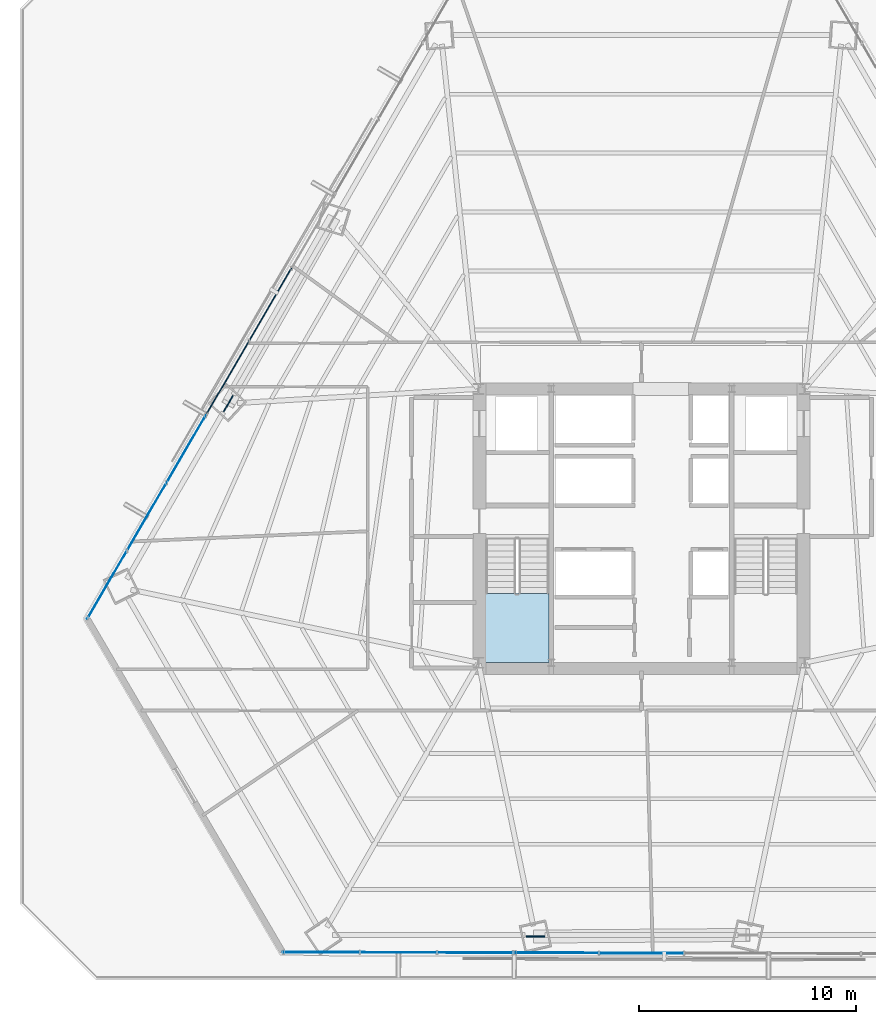
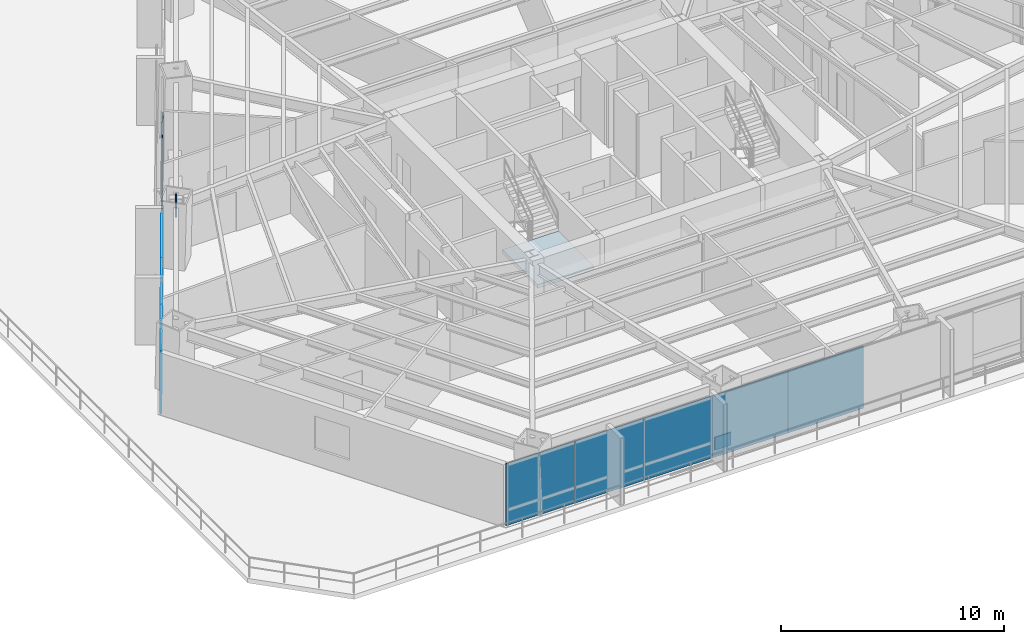
# One storey, part 26 of 35: 12 plates, 1 slab, 5 elements without a shape of their own.
"""IFC4 building model written with IfcOpenShell, lengths in metres."""

from ifc_helpers import new_model, si_unit, direction, frame, origin, origin_2d, place, context, subcontext, project, spatial, polyline, rectangle, outline, extrude, source, transform, mapped, material, layer, layer_set, type_object, type_shapes, element, aggregate, save


model = new_model("IFC4")

# Units and contexts
model_context = context("Model", 3, precision=1e-05, world=origin(), true_north=direction((0.0, 1.0)))
body_context = subcontext(model_context, "Body", "Model", "MODEL_VIEW")
ifc_project = project(units=[si_unit("LENGTHUNIT", "METRE"), si_unit("AREAUNIT", "SQUARE_METRE"), si_unit("VOLUMEUNIT", "CUBIC_METRE"), si_unit("PLANEANGLEUNIT", "RADIAN"), si_unit("MASSUNIT", "GRAM", prefix="KILO")], contexts=[model_context])

# Site, building, storey
site_placement = place(None, origin())
site = spatial("IfcSite", under=ifc_project, at=site_placement, CompositionType="ELEMENT")
building_placement = place(site_placement, origin())
building = spatial("IfcBuilding", under=site, at=building_placement, Name="Caelisora Broadcast Tower", CompositionType="ELEMENT")
storey_placement = place(building_placement, frame((0.0, 0.0, 27.60009765625)))
storey = spatial("IfcBuildingStorey", under=building, at=storey_placement, Name="L06", CompositionType="ELEMENT", Elevation=27.60009765625)

# Stair, slab
ifc_material_1 = material(Name="Concrete 40 MPa (AS 3600 N40)", Category="concrete")
stair_type = type_object("IfcStairType", Name="ST-1", PredefinedType="HALF_TURN_STAIR", material=ifc_material_1)
stair_placement = place(storey_placement, origin())
stair = element("IfcStair", 1, at=stair_placement, inside=storey, type_object=stair_type, Name="L06 West Fire-Isolated Tower Stair", PredefinedType="HALF_TURN_STAIR")
ifc_layer_1 = layer(ifc_material_1, 0.199951171875, Name="Concrete 40 MPa (AS 3600 N40)")
ifc_layer_set_1 = layer_set([ifc_layer_1], Name="Concrete 40 MPa (AS 3600 N40)")
slab_type = type_object("IfcSlabType", Name="STL-1", PredefinedType="LANDING", material=ifc_layer_set_1)
slab_placement = place(storey_placement, frame((0.0, 0.0, 1.625)))
slab = element("IfcSlab", 2, at=slab_placement, type_object=slab_type, Name="ST-1 landing 1", PredefinedType="LANDING", context=body_context, shape_type="SweptSolid", body=[
    extrude(outline(polyline([(30.820068359375, 20.580078125), (30.820068359375, 17.39990234375), (33.739990234375, 17.39990234375), (33.739990234375, 20.580078125), (30.820068359375, 20.580078125)])), origin(), (0.0, 0.0, 1.0), 0.199951171875),
])
aggregate(stair, [slab])

# Plates
ifc_material_2 = material(Name="Steel Grade 350 L15 (AS/NZS 3678)", Category="steel")
ifc_layer_2 = layer(ifc_material_2, 0.050048828125, Name="Steel Grade 350 L15 (AS/NZS 3678)")
ifc_layer_set_2 = layer_set([ifc_layer_2], Name="Steel Grade 350 L15 (AS/NZS 3678)")
plate_type_1 = type_object("IfcPlateType", Name="GP03", PredefinedType="USERDEFINED", material=ifc_layer_set_2)
shared_shape_1 = source(origin(), body_context, "Body", "SweptSolid", [
    extrude(rectangle(XDim=0.85009765625, YDim=0.050048828125, at=origin_2d()), origin(), (0.0, 0.0, 1.0), 0.699951171875),
])
type_shapes(plate_type_1, [shared_shape_1])
for number, where, z_axis, x_axis, name in (
    (3, (18.988037109375, 29.32568359375, 2.72998046875), (0.0, 0.0, 1.0), (-0.5, -0.866025403784, 0.0), "L06 gusset plate GP03 (ND-L06-C03T)"),
    (4, (33.12255859375, 4.800048828125, -0.22998046875), (0.0, 0.0, 1.0), (1.0, 0.0, 0.0), "L06 gusset plate GP03 (ND-L06-C06B)"),
):
    element("IfcPlate", number, at=place(storey_placement, frame(where, z_axis=z_axis, x_axis=x_axis)), inside=storey, type_object=plate_type_1, Name=name, ObjectType="GUSSET PLATE", PredefinedType="USERDEFINED", context=body_context, shape_type="MappedRepresentation", body=[
        mapped(shared_shape_1, transform((0.0, 0.0, 0.0), scale=1.0)),
    ])

# Curtain wall, plates
ifc_material_3 = material(Name="Unitised Aluminium Insulated Shadow-Box Spandrel Curtain Wall", Category="aluminium")
curtain_wall_type_1 = type_object("IfcCurtainWallType", Name="CW-SP1", PredefinedType="NOTDEFINED", material=ifc_material_3)
curtain_wall_1_placement = place(storey_placement, origin())
curtain_wall_1 = element("IfcCurtainWall", 5, at=curtain_wall_1_placement, inside=storey, type_object=curtain_wall_type_1, Name="L06 curtain wall CW-SP1", PredefinedType="NOTDEFINED")
ifc_material_4 = material(Name="Insulated Terracotta Shadow-Box Spandrel Panel", Category="aluminium")
ifc_layer_3 = layer(ifc_material_4, 0.0439453125, Name="Insulated Terracotta Shadow-Box Spandrel Panel")
ifc_layer_set_3 = layer_set([ifc_layer_3], Name="Insulated Terracotta Shadow-Box Spandrel Panel")
plate_type_2 = type_object("IfcPlateType", Name="CWP-10", PredefinedType="CURTAIN_PANEL", material=ifc_layer_set_3)
shared_shape_2 = source(origin(), body_context, "Body", "SweptSolid", [
    extrude(rectangle(XDim=3.898193359375, YDim=0.0439453125, at=origin_2d()), origin(), (0.0, 0.0, 1.0), 3.39990234375),
])
type_shapes(plate_type_2, [shared_shape_2])
plate_1_placement = place(storey_placement, frame((37.997802734375, 4.036376953125, 0.0), z_axis=(0.0, 0.0, 1.0), x_axis=(-0.999996573056, 0.002617990887, 0.0)))
plate_1 = element("IfcPlate", 6, at=plate_1_placement, type_object=plate_type_2, Name="L06-CW-B06 spandrel panel #2", PredefinedType="CURTAIN_PANEL", context=body_context, shape_type="MappedRepresentation", body=[
    mapped(shared_shape_2, transform((0.0, 0.0, 0.0), scale=1.0)),
])
plate_2_placement = place(storey_placement, frame((34.099609375, 4.046875, 0.0), z_axis=(0.0, 0.0, 1.0), x_axis=(-0.999996573056, 0.002617990887, 0.0)))
plate_2 = element("IfcPlate", 7, at=plate_2_placement, type_object=plate_type_2, Name="L06-CW-B06 spandrel panel #3", PredefinedType="CURTAIN_PANEL", context=body_context, shape_type="MappedRepresentation", body=[
    mapped(shared_shape_2, transform((0.0, 0.0, 0.0), scale=1.0)),
])
aggregate(curtain_wall_1, [plate_1, plate_2])

curtain_wall_2_placement = place(storey_placement, origin())
curtain_wall_2 = element("IfcCurtainWall", 8, at=curtain_wall_2_placement, inside=storey, type_object=curtain_wall_type_1, Name="L06 curtain wall CW-SP1", PredefinedType="NOTDEFINED")
plate_3_placement = place(storey_placement, frame((18.947998046875, 30.500732421875, 0.0), z_axis=(0.0, 0.0, 1.0), x_axis=(0.503321604797, 0.864099162217, 0.0)))
plate_3 = element("IfcPlate", 9, at=plate_3_placement, type_object=plate_type_2, Name="L06-CW-B10 spandrel panel #1", PredefinedType="CURTAIN_PANEL", context=body_context, shape_type="MappedRepresentation", body=[
    mapped(shared_shape_2, transform((0.0, 0.0, 0.0), scale=1.0)),
])
plate_4_placement = place(storey_placement, frame((20.909912109375, 33.869384765625, 0.0), z_axis=(0.0, 0.0, 1.0), x_axis=(0.503321604797, 0.864099162217, 0.0)))
plate_4 = element("IfcPlate", 10, at=plate_4_placement, type_object=plate_type_2, Name="L06-CW-B10 spandrel panel #2", PredefinedType="CURTAIN_PANEL", context=body_context, shape_type="MappedRepresentation", body=[
    mapped(shared_shape_2, transform((0.0, 0.0, 0.0), scale=1.0)),
])
aggregate(curtain_wall_2, [plate_3, plate_4])

ifc_material_5 = material(Name="Unitised Aluminium and Low-E Glass Curtain Wall", Category="glass")
curtain_wall_type_2 = type_object("IfcCurtainWallType", Name="CW-Z1", PredefinedType="NOTDEFINED", material=ifc_material_5)
curtain_wall_3_placement = place(storey_placement, origin())
curtain_wall_3 = element("IfcCurtainWall", 11, at=curtain_wall_3_placement, inside=storey, type_object=curtain_wall_type_2, Name="L06 curtain wall CW-Z1", PredefinedType="NOTDEFINED")
ifc_material_6 = material(Name="Double Glazed Low-E Argon IGU", Category="glass")
ifc_layer_4 = layer(ifc_material_6, 0.035888671875, Name="Double Glazed Low-E Argon IGU")
ifc_layer_set_4 = layer_set([ifc_layer_4], Name="Double Glazed Low-E Argon IGU")
plate_type_3 = type_object("IfcPlateType", Name="CWP-02", PredefinedType="CURTAIN_PANEL", material=ifc_layer_set_4)
shared_shape_3 = source(origin(), body_context, "Body", "SweptSolid", [
    extrude(rectangle(XDim=3.55322265625, YDim=0.035888671875, at=origin_2d()), origin(), (0.0, 0.0, 1.0), 3.39990234375),
])
plate_5_placement = place(storey_placement, frame((30.364013671875, 4.056884765625, 0.0), z_axis=(0.0, 0.0, 1.0), x_axis=(-0.999996573056, 0.002617990887, 0.0)))
plate_5 = element("IfcPlate", 12, at=plate_5_placement, type_object=plate_type_3, Name="L06-CW-B07 glazed panel #1", PredefinedType="CURTAIN_PANEL", context=body_context, shape_type="MappedRepresentation", body=[
    mapped(shared_shape_3, transform((0.0, 0.0, 0.0), scale=1.0)),
])
plate_6_placement = place(storey_placement, frame((26.810791015625, 4.066650390625, 0.0), z_axis=(0.0, 0.0, 1.0), x_axis=(-0.999996573056, 0.002617990887, 0.0)))
plate_6 = element("IfcPlate", 13, at=plate_6_placement, type_object=plate_type_3, Name="L06-CW-B07 glazed panel #2", PredefinedType="CURTAIN_PANEL", context=body_context, shape_type="MappedRepresentation", body=[
    mapped(shared_shape_3, transform((0.0, 0.0, 0.0), scale=1.0)),
])
plate_7_placement = place(storey_placement, frame((23.257568359375, 4.076171875, 0.0), z_axis=(0.0, 0.0, 1.0), x_axis=(-0.999996573056, 0.002617990887, 0.0)))
plate_7 = element("IfcPlate", 14, at=plate_7_placement, type_object=plate_type_3, Name="L06-CW-B07 glazed panel #3", PredefinedType="CURTAIN_PANEL", context=body_context, shape_type="MappedRepresentation", body=[
    mapped(shared_shape_3, transform((0.0, 0.0, 0.0), scale=1.0)),
])
aggregate(curtain_wall_3, [plate_5, plate_6, plate_7])

curtain_wall_4_placement = place(storey_placement, origin())
curtain_wall_4 = element("IfcCurtainWall", 15, at=curtain_wall_4_placement, inside=storey, type_object=curtain_wall_type_2, Name="L06 curtain wall CW-Z1", PredefinedType="NOTDEFINED")
shared_shape_4 = source(origin(), body_context, "Body", "SweptSolid", [
    extrude(rectangle(XDim=3.62158203125, YDim=0.035888671875, at=origin_2d()), origin(), (0.0, 0.0, 1.0), 3.39990234375),
])
type_shapes(plate_type_3, [shared_shape_3, shared_shape_4])
plate_8_placement = place(storey_placement, frame((13.4052734375, 20.98388671875, 0.0), z_axis=(0.0, 0.0, 1.0), x_axis=(0.503321604797, 0.864099162217, 0.0)))
plate_8 = element("IfcPlate", 16, at=plate_8_placement, type_object=plate_type_3, Name="L06-CW-B09 glazed panel #1", PredefinedType="CURTAIN_PANEL", context=body_context, shape_type="MappedRepresentation", body=[
    mapped(shared_shape_4, transform((0.0, 0.0, 0.0), scale=1.0)),
])
plate_9_placement = place(storey_placement, frame((15.22802734375, 24.11328125, 0.0), z_axis=(0.0, 0.0, 1.0), x_axis=(0.503321604797, 0.864099162217, 0.0)))
plate_9 = element("IfcPlate", 17, at=plate_9_placement, type_object=plate_type_3, Name="L06-CW-B09 glazed panel #2", PredefinedType="CURTAIN_PANEL", context=body_context, shape_type="MappedRepresentation", body=[
    mapped(shared_shape_4, transform((0.0, 0.0, 0.0), scale=1.0)),
])
plate_10_placement = place(storey_placement, frame((17.05078125, 27.242919921875, 0.0), z_axis=(0.0, 0.0, 1.0), x_axis=(0.503321604797, 0.864099162217, 0.0)))
plate_10 = element("IfcPlate", 18, at=plate_10_placement, type_object=plate_type_3, Name="L06-CW-B09 glazed panel #3", PredefinedType="CURTAIN_PANEL", context=body_context, shape_type="MappedRepresentation", body=[
    mapped(shared_shape_4, transform((0.0, 0.0, 0.0), scale=1.0)),
])
aggregate(curtain_wall_4, [plate_8, plate_9, plate_10])

save(model, "model.ifc")
